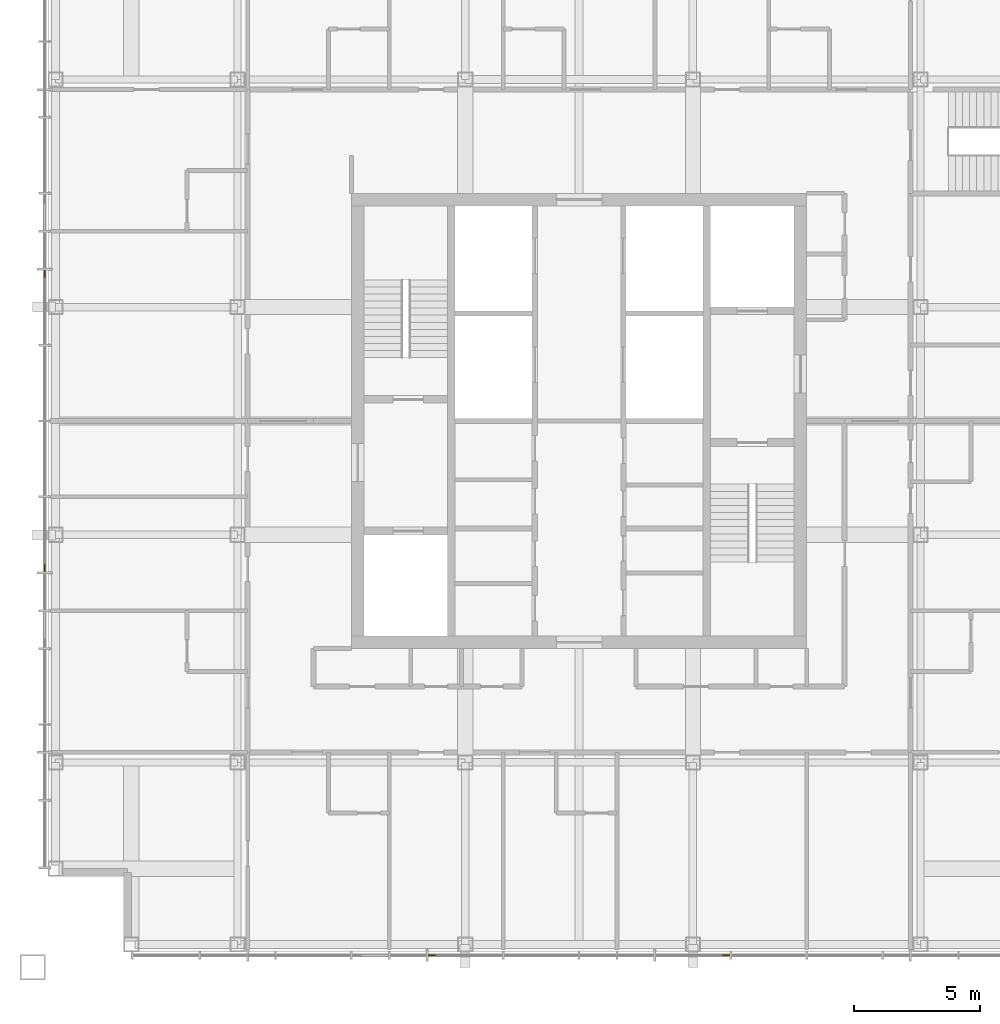
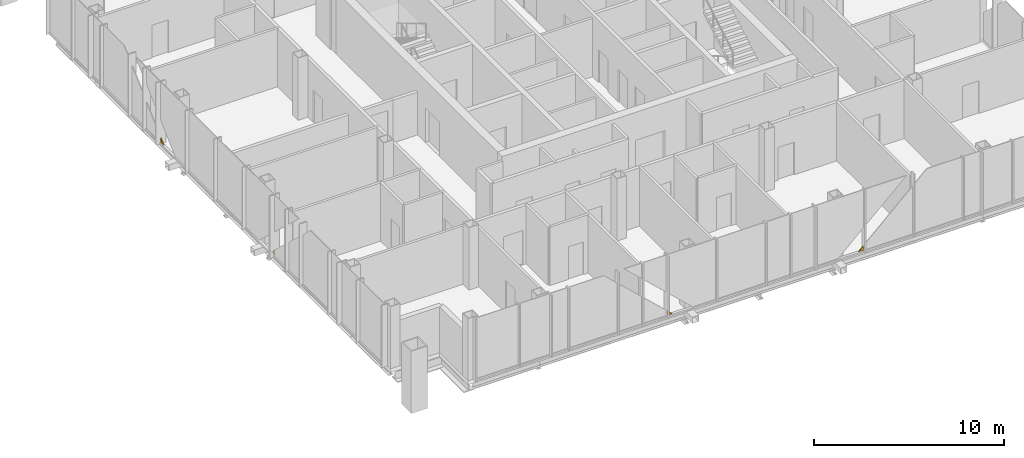
# One storey, part 12 of 13: 4 coverings.
"""IFC4 building model written with IfcOpenShell, lengths in metres."""

from ifc_helpers import new_model, si_unit, direction, frame, origin, place, context, subcontext, project, spatial, polyline, outline, extrude, material, layer, layer_set, type_object, element, save


model = new_model("IFC4")

# Units and contexts
model_context = context("Model", 3, precision=1e-05, world=origin(), true_north=direction((0.0, 1.0)))
body_context = subcontext(model_context, "Body", "Model", "MODEL_VIEW")
ifc_project = project(units=[si_unit("LENGTHUNIT", "METRE"), si_unit("AREAUNIT", "SQUARE_METRE"), si_unit("VOLUMEUNIT", "CUBIC_METRE"), si_unit("PLANEANGLEUNIT", "RADIAN"), si_unit("MASSUNIT", "GRAM", prefix="KILO")], contexts=[model_context])

# Site, building, storey
site_placement = place(None, origin())
site = spatial("IfcSite", under=ifc_project, at=site_placement, CompositionType="ELEMENT")
building_placement = place(site_placement, origin())
building = spatial("IfcBuilding", under=site, at=building_placement, Name="Malebo Sky Hospital", CompositionType="ELEMENT")
storey_placement = place(building_placement, frame((0.0, 0.0, 274.0)))
storey = spatial("IfcBuildingStorey", under=building, at=storey_placement, Name="L66", CompositionType="ELEMENT", Elevation=274.0)

# Coverings
ifc_material = material(Name="Anodised aluminium, natural silver insulated infill panel", Category="aluminium")
ifc_layer = layer(ifc_material, 0.0400390625)
ifc_layer_set = layer_set([ifc_layer], Name="BRACE INFILL PANEL 40")
covering_type = type_object("IfcCoveringType", Name="BRACE INFILL PANEL 40", PredefinedType="CLADDING", material=ifc_layer_set)
covering_1_placement = place(storey_placement, frame((38.875, 56.184326171875, 0.10009765625), z_axis=(0.0, 0.0, 1.0), x_axis=(0.0, 1.0, 0.0)))
element("IfcCovering", 1, at=covering_1_placement, inside=storey, type_object=covering_type, Name="Brace infill panel 7.1", PredefinedType="CLADDING", context=body_context, shape_type="SweptSolid", body=[
    extrude(outline(polyline([(-0.14697265625, 0.0), (0.146728515625, 0.0), (-0.14697265625, 0.27490234375), (-0.14697265625, 0.0)])), frame((0.0, 0.02001953125, 0.0), z_axis=(0.0, -1.0, 0.0), x_axis=(1.0, 0.0, 0.0)), (0.0, 0.0, 1.0), 0.0400390625),
])
covering_2_placement = place(storey_placement, frame((38.875, 67.815673828125, 0.10009765625), z_axis=(0.0, 0.0, 1.0), x_axis=(0.0, 1.0, 0.0)))
element("IfcCovering", 2, at=covering_2_placement, inside=storey, type_object=covering_type, Name="Brace infill panel 10.1", PredefinedType="CLADDING", context=body_context, shape_type="SweptSolid", body=[
    extrude(outline(polyline([(-0.146728515625, 0.0), (0.14697265625, 0.0), (0.14697265625, 0.27490234375), (-0.146728515625, 0.0)])), frame((0.0, 0.02001953125, 0.0), z_axis=(0.0, -1.0, 0.0), x_axis=(1.0, 0.0, 0.0)), (0.0, 0.0, 1.0), 0.0400390625),
])
covering_3_placement = place(storey_placement, frame((65.815673828125, 40.875, 0.10009765625), z_axis=(0.0, 0.0, 1.0), x_axis=(-1.0, 0.0, 0.0)))
element("IfcCovering", 3, at=covering_3_placement, inside=storey, type_object=covering_type, Name="Brace infill panel 6.1", PredefinedType="CLADDING", context=body_context, shape_type="SweptSolid", body=[
    extrude(outline(polyline([(-0.14697265625, 0.0), (0.146728515625, 0.0), (-0.14697265625, 0.27490234375), (-0.14697265625, 0.0)])), frame((0.0, 0.02001953125, 0.0), z_axis=(0.0, -1.0, 0.0), x_axis=(1.0, 0.0, 0.0)), (0.0, 0.0, 1.0), 0.0400390625),
])
covering_4_placement = place(storey_placement, frame((54.184326171875, 40.875, 0.10009765625), z_axis=(0.0, 0.0, 1.0), x_axis=(-1.0, 0.0, 0.0)))
element("IfcCovering", 4, at=covering_4_placement, inside=storey, type_object=covering_type, Name="Brace infill panel 10.1", PredefinedType="CLADDING", context=body_context, shape_type="SweptSolid", body=[
    extrude(outline(polyline([(-0.146728515625, 0.0), (0.14697265625, 0.0), (0.14697265625, 0.27490234375), (-0.146728515625, 0.0)])), frame((0.0, 0.02001953125, 0.0), z_axis=(0.0, -1.0, 0.0), x_axis=(1.0, 0.0, 0.0)), (0.0, 0.0, 1.0), 0.0400390625),
])

save(model, "model.ifc")
